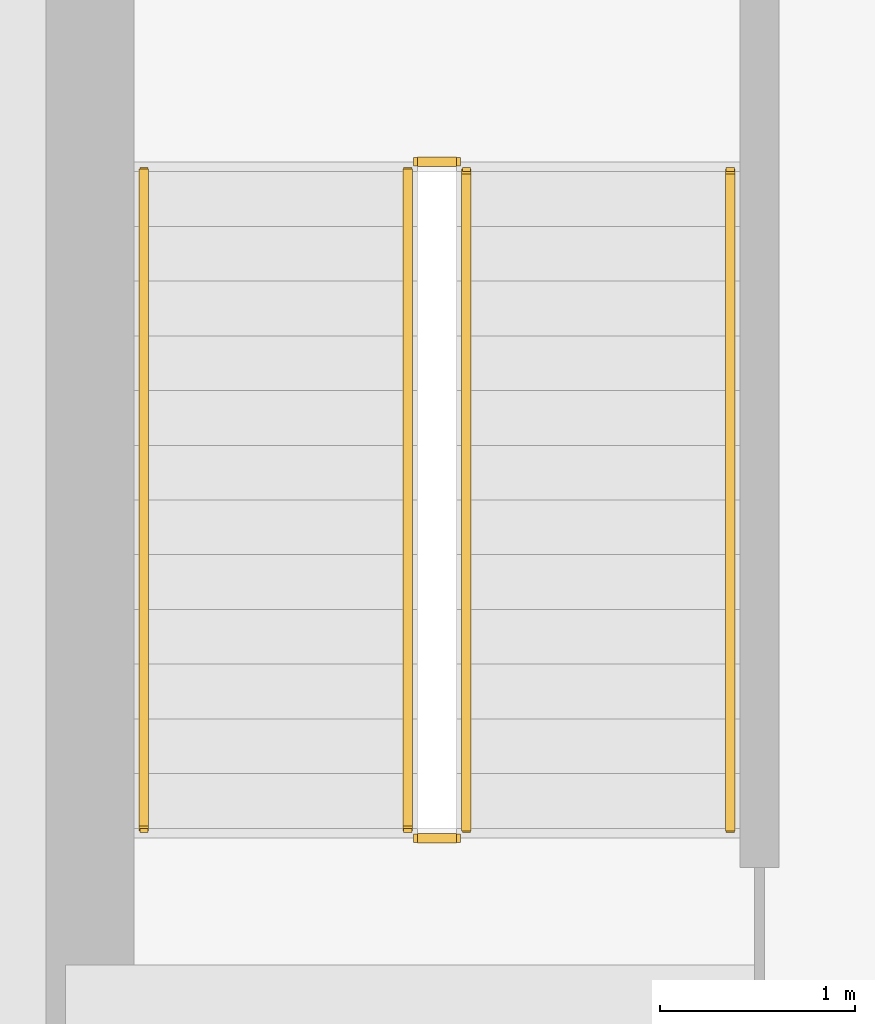
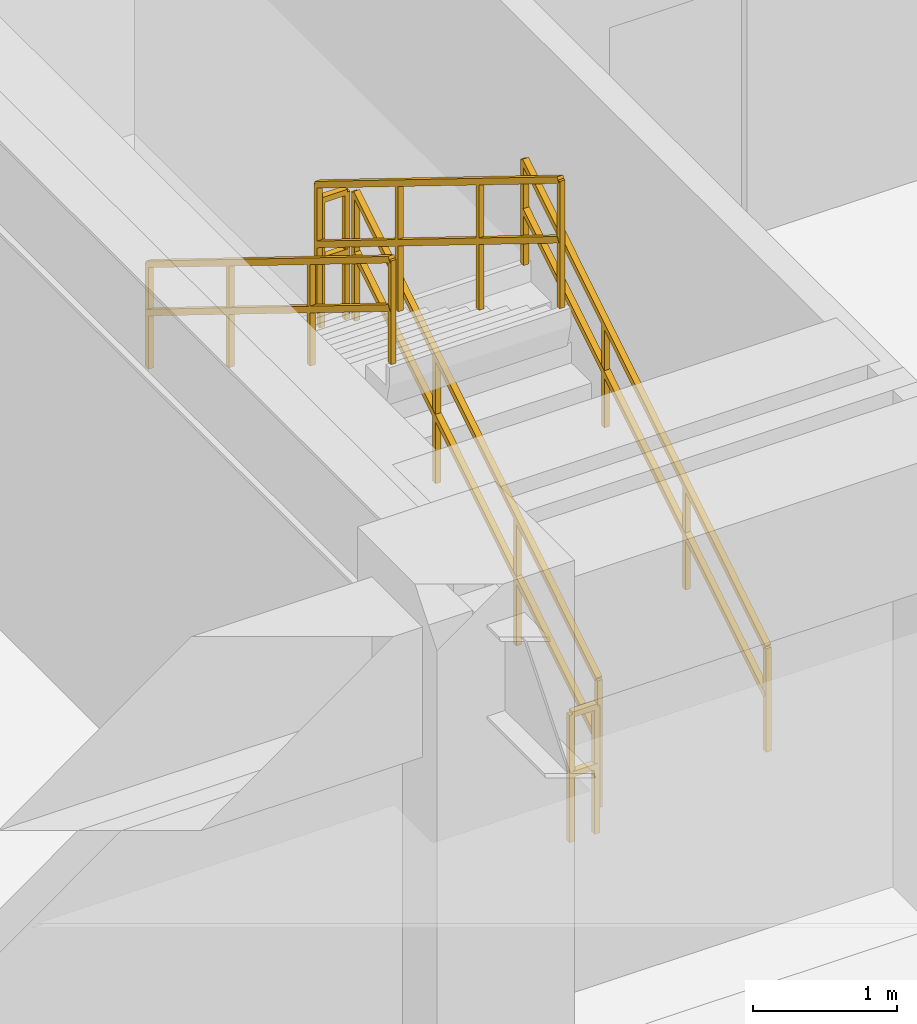
# One storey, part 21 of 24: 6 railings.
"""IFC4 building model written with IfcOpenShell, lengths in metres."""

from ifc_helpers import new_model, si_unit, direction, frame, origin, origin_2d, place, context, subcontext, project, spatial, rectangle, extrude, material, type_object, element, save


model = new_model("IFC4")

# Units and contexts
model_context = context("Model", 3, precision=1e-05, world=origin(), true_north=direction((0.0, 1.0)))
body_context = subcontext(model_context, "Body", "Model", "MODEL_VIEW")
ifc_project = project(units=[si_unit("LENGTHUNIT", "METRE"), si_unit("AREAUNIT", "SQUARE_METRE"), si_unit("VOLUMEUNIT", "CUBIC_METRE"), si_unit("PLANEANGLEUNIT", "RADIAN"), si_unit("MASSUNIT", "GRAM", prefix="KILO")], contexts=[model_context])

# Site, building, storey
site_placement = place(None, origin())
site = spatial("IfcSite", under=ifc_project, at=site_placement, CompositionType="ELEMENT")
building_placement = place(site_placement, origin())
building = spatial("IfcBuilding", under=site, at=building_placement, Name="Trelvane Seafront Commons", CompositionType="ELEMENT")
storey_placement = place(building_placement, frame((0.0, 0.0, 9.699951171875)))
storey = spatial("IfcBuildingStorey", under=building, at=storey_placement, Name="L02", CompositionType="ELEMENT", Elevation=9.699951171875)

# Railings
ifc_material = material(Name="Stainless steel balustrade", Category="steel")
railing_type_1 = type_object("IfcRailingType", Name="ARCH-SRL-GUARD", PredefinedType="GUARDRAIL", material=ifc_material)
railing_1_placement = place(storey_placement, frame((17.89990234375, 35.550048828125, 0.173095703125)))
element("IfcRailing", 1, at=railing_1_placement, inside=storey, type_object=railing_type_1, Name="L02 ST-1 stair guard 1", PredefinedType="GUARDRAIL", context=body_context, shape_type="SweptSolid", body=[
    extrude(rectangle(XDim=0.048095703125, YDim=0.048095703125, at=origin_2d()), frame((0.0, 0.0, 1.076171875), z_axis=(0.0, 0.850606129759, 0.525803396734), x_axis=(-1.0, 0.0, 0.0)), (0.0, 0.0, 1.0), 3.949951171875),
    extrude(rectangle(XDim=0.048095703125, YDim=0.048095703125, at=origin_2d()), frame((0.0, 0.0, 0.572021484375), z_axis=(0.0, 0.850606129759, 0.525803396734), x_axis=(-1.0, 0.0, 0.0)), (0.0, 0.0, 1.0), 3.949951171875),
    extrude(rectangle(XDim=0.0419921875, YDim=0.0419921875, at=origin_2d()), origin(), (0.0, 0.0, 1.0), 1.076171875),
    extrude(rectangle(XDim=0.0419921875, YDim=0.0419921875, at=origin_2d()), frame((0.0, 1.119873046875, 0.6923828125)), (0.0, 0.0, 1.0), 1.076171875),
    extrude(rectangle(XDim=0.0419921875, YDim=0.0419921875, at=origin_2d()), frame((0.0, 2.239990234375, 1.384521484375)), (0.0, 0.0, 1.0), 1.076171875),
    extrude(rectangle(XDim=0.0419921875, YDim=0.0419921875, at=origin_2d()), frame((0.0, 3.35986328125, 2.076904296875)), (0.0, 0.0, 1.0), 1.076171875),
])
railing_2_placement = place(storey_placement, frame((17.85009765625, 38.9599609375, 2.25)))
element("IfcRailing", 2, at=railing_2_placement, inside=storey, type_object=railing_type_1, Name="L02 ST-1 stair guard 2", PredefinedType="GUARDRAIL", context=body_context, shape_type="SweptSolid", body=[
    extrude(rectangle(XDim=0.048095703125, YDim=0.048095703125, at=origin_2d()), frame((0.0, 0.0, 1.076171875), z_axis=(-1.0, 0.0, 0.0), x_axis=(0.0, -1.0, 0.0)), (0.0, 0.0, 1.0), 0.2001953125),
    extrude(rectangle(XDim=0.048095703125, YDim=0.048095703125, at=origin_2d()), frame((0.0, 0.0, 0.572021484375), z_axis=(-1.0, 0.0, 0.0), x_axis=(0.0, -1.0, 0.0)), (0.0, 0.0, 1.0), 0.2001953125),
    extrude(rectangle(XDim=0.0419921875, YDim=0.0419921875, at=origin_2d()), origin(), (0.0, 0.0, 1.0), 1.076171875),
    extrude(rectangle(XDim=0.0419921875, YDim=0.0419921875, at=origin_2d()), frame((-0.2001953125, 0.0, 0.0)), (0.0, 0.0, 1.0), 1.076171875),
])
railing_3_placement = place(storey_placement, frame((17.60009765625, 38.909912109375, 2.423095703125)))
element("IfcRailing", 3, at=railing_3_placement, inside=storey, type_object=railing_type_1, Name="L02 ST-1 stair guard 3", PredefinedType="GUARDRAIL", context=body_context, shape_type="SweptSolid", body=[
    extrude(rectangle(XDim=0.048095703125, YDim=0.048095703125, at=origin_2d()), frame((0.0, 0.0, 1.076171875), z_axis=(0.0, -0.850606129759, 0.525803396734), x_axis=(1.0, 0.0, 0.0)), (0.0, 0.0, 1.0), 3.949951171875),
    extrude(rectangle(XDim=0.048095703125, YDim=0.048095703125, at=origin_2d()), frame((0.0, 0.0, 0.572021484375), z_axis=(0.0, -0.850606129759, 0.525803396734), x_axis=(1.0, 0.0, 0.0)), (0.0, 0.0, 1.0), 3.949951171875),
    extrude(rectangle(XDim=0.0419921875, YDim=0.0419921875, at=origin_2d()), origin(), (0.0, 0.0, 1.0), 1.076171875),
    extrude(rectangle(XDim=0.0419921875, YDim=0.0419921875, at=origin_2d()), frame((0.0, -1.119873046875, 0.6923828125)), (0.0, 0.0, 1.0), 1.076171875),
    extrude(rectangle(XDim=0.0419921875, YDim=0.0419921875, at=origin_2d()), frame((0.0, -2.239990234375, 1.384521484375)), (0.0, 0.0, 1.0), 1.076171875),
    extrude(rectangle(XDim=0.0419921875, YDim=0.0419921875, at=origin_2d()), frame((0.0, -3.35986328125, 2.076904296875)), (0.0, 0.0, 1.0), 1.076171875),
])
railing_4_placement = place(storey_placement, frame((17.85009765625, 35.5, 0.0)))
element("IfcRailing", 4, at=railing_4_placement, inside=storey, type_object=railing_type_1, Name="L02 ST-1 stair guard 4", PredefinedType="GUARDRAIL", context=body_context, shape_type="SweptSolid", body=[
    extrude(rectangle(XDim=0.048095703125, YDim=0.048095703125, at=origin_2d()), frame((0.0, 0.0, 1.076171875), z_axis=(-1.0, 0.0, 0.0), x_axis=(0.0, -1.0, 0.0)), (0.0, 0.0, 1.0), 0.2001953125),
    extrude(rectangle(XDim=0.048095703125, YDim=0.048095703125, at=origin_2d()), frame((0.0, 0.0, 0.572021484375), z_axis=(-1.0, 0.0, 0.0), x_axis=(0.0, -1.0, 0.0)), (0.0, 0.0, 1.0), 0.2001953125),
    extrude(rectangle(XDim=0.0419921875, YDim=0.0419921875, at=origin_2d()), origin(), (0.0, 0.0, 1.0), 1.076171875),
    extrude(rectangle(XDim=0.0419921875, YDim=0.0419921875, at=origin_2d()), frame((-0.2001953125, 0.0, 0.0)), (0.0, 0.0, 1.0), 1.076171875),
])
railing_type_2 = type_object("IfcRailingType", Name="ARCH-SRL-HAND", PredefinedType="HANDRAIL", material=ifc_material)
railing_5_placement = place(storey_placement, frame((19.25, 35.550048828125, 0.173095703125)))
element("IfcRailing", 5, at=railing_5_placement, inside=storey, type_object=railing_type_2, Name="L02 ST-1 stair handrail 1", PredefinedType="HANDRAIL", context=body_context, shape_type="SweptSolid", body=[
    extrude(rectangle(XDim=0.048095703125, YDim=0.048095703125, at=origin_2d()), frame((0.0, 0.0, 0.8759765625), z_axis=(0.0, 0.850606129759, 0.525803396734), x_axis=(-1.0, 0.0, 0.0)), (0.0, 0.0, 1.0), 3.949951171875),
    extrude(rectangle(XDim=0.048095703125, YDim=0.048095703125, at=origin_2d()), frame((0.0, 0.0, 0.468017578125), z_axis=(0.0, 0.850606129759, 0.525803396734), x_axis=(-1.0, 0.0, 0.0)), (0.0, 0.0, 1.0), 3.949951171875),
    extrude(rectangle(XDim=0.0419921875, YDim=0.0419921875, at=origin_2d()), origin(), (0.0, 0.0, 1.0), 0.8759765625),
    extrude(rectangle(XDim=0.0419921875, YDim=0.0419921875, at=origin_2d()), frame((0.0, 1.119873046875, 0.6923828125)), (0.0, 0.0, 1.0), 0.8759765625),
    extrude(rectangle(XDim=0.0419921875, YDim=0.0419921875, at=origin_2d()), frame((0.0, 2.239990234375, 1.384521484375)), (0.0, 0.0, 1.0), 0.8759765625),
    extrude(rectangle(XDim=0.0419921875, YDim=0.0419921875, at=origin_2d()), frame((0.0, 3.35986328125, 2.076904296875)), (0.0, 0.0, 1.0), 0.8759765625),
])
railing_6_placement = place(storey_placement, frame((16.25, 38.909912109375, 2.423095703125)))
element("IfcRailing", 6, at=railing_6_placement, inside=storey, type_object=railing_type_2, Name="L02 ST-1 stair handrail 2", PredefinedType="HANDRAIL", context=body_context, shape_type="SweptSolid", body=[
    extrude(rectangle(XDim=0.048095703125, YDim=0.048095703125, at=origin_2d()), frame((0.0, 0.0, 0.8759765625), z_axis=(0.0, -0.850606129759, 0.525803396734), x_axis=(1.0, 0.0, 0.0)), (0.0, 0.0, 1.0), 3.949951171875),
    extrude(rectangle(XDim=0.048095703125, YDim=0.048095703125, at=origin_2d()), frame((0.0, 0.0, 0.468017578125), z_axis=(0.0, -0.850606129759, 0.525803396734), x_axis=(1.0, 0.0, 0.0)), (0.0, 0.0, 1.0), 3.949951171875),
    extrude(rectangle(XDim=0.0419921875, YDim=0.0419921875, at=origin_2d()), origin(), (0.0, 0.0, 1.0), 0.8759765625),
    extrude(rectangle(XDim=0.0419921875, YDim=0.0419921875, at=origin_2d()), frame((0.0, -1.119873046875, 0.6923828125)), (0.0, 0.0, 1.0), 0.8759765625),
    extrude(rectangle(XDim=0.0419921875, YDim=0.0419921875, at=origin_2d()), frame((0.0, -2.239990234375, 1.384521484375)), (0.0, 0.0, 1.0), 0.8759765625),
    extrude(rectangle(XDim=0.0419921875, YDim=0.0419921875, at=origin_2d()), frame((0.0, -3.35986328125, 2.076904296875)), (0.0, 0.0, 1.0), 0.8759765625),
])

save(model, "model.ifc")
